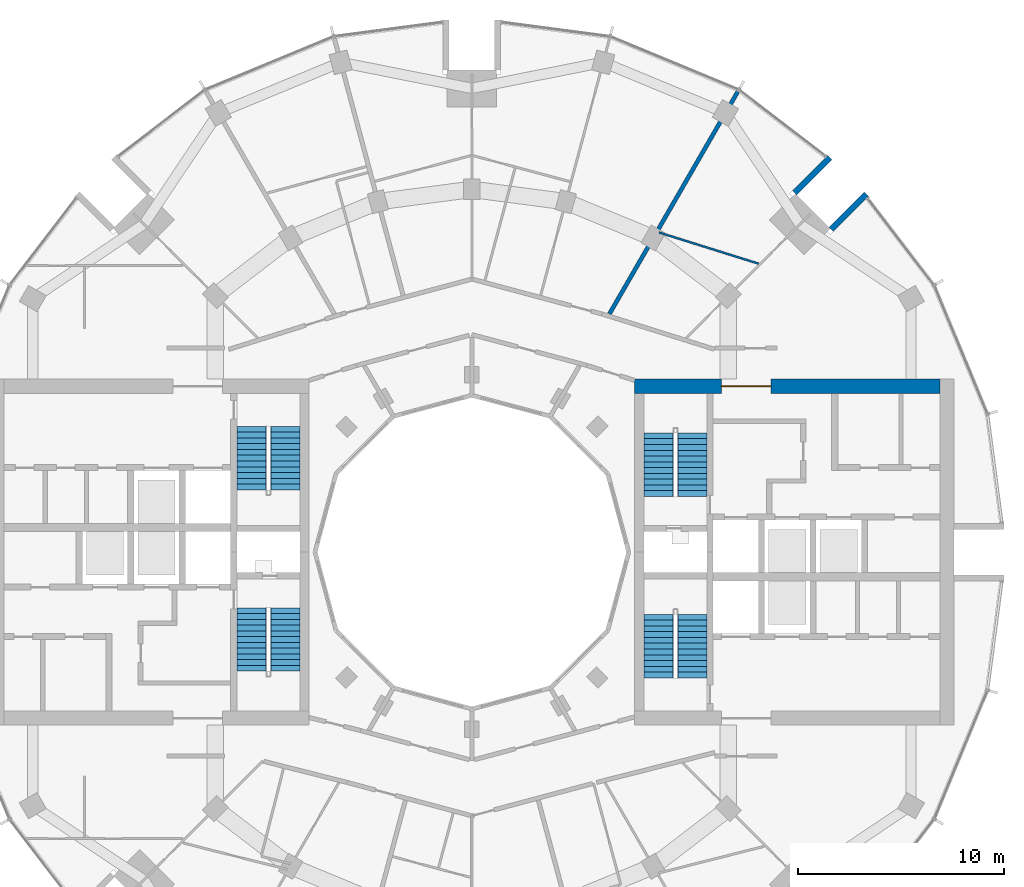
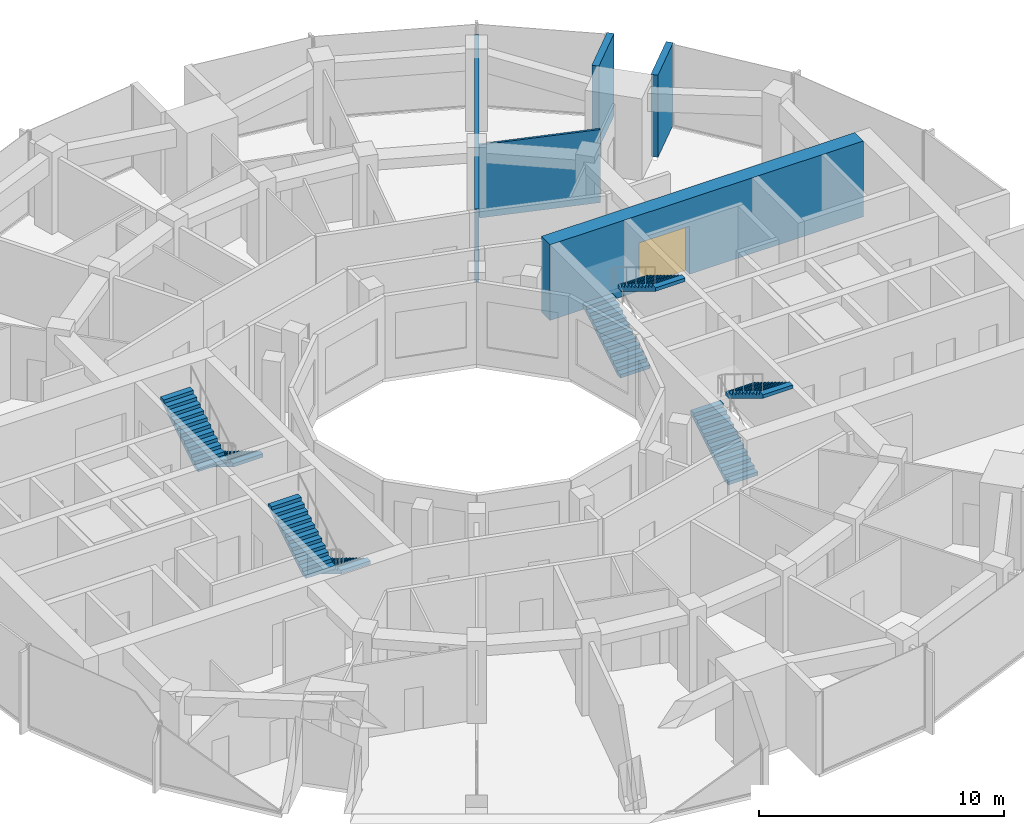
# One storey, part 13 of 15: 8 stair flights, 5 walls, 1 door, 1 opening, 4 elements without a shape of their own.
"""IFC4 building model written with IfcOpenShell, lengths in metres."""

from ifc_helpers import new_model, si_unit, direction, frame, frame_2d, origin, place, context, subcontext, project, spatial, polyline, rectangle, outline, extrude, material, layer, layer_set, type_object, element, fill, aggregate, save


model = new_model("IFC4")

# Units and contexts
model_context = context("Model", 3, precision=1e-05, world=origin(), true_north=direction((0.0, 1.0)))
body_context = subcontext(model_context, "Body", "Model", "MODEL_VIEW")
ifc_project = project(units=[si_unit("LENGTHUNIT", "METRE"), si_unit("AREAUNIT", "SQUARE_METRE"), si_unit("VOLUMEUNIT", "CUBIC_METRE"), si_unit("PLANEANGLEUNIT", "RADIAN"), si_unit("MASSUNIT", "GRAM", prefix="KILO")], contexts=[model_context])

# Site, building, storey
site_placement = place(None, origin())
site = spatial("IfcSite", under=ifc_project, at=site_placement, CompositionType="ELEMENT")
building_placement = place(site_placement, origin())
building = spatial("IfcBuilding", under=site, at=building_placement, Name="Torre Brocal", CompositionType="ELEMENT")
storey_placement = place(building_placement, frame((0.0, 0.0, 182.300048828125)))
storey = spatial("IfcBuildingStorey", under=building, at=storey_placement, Name="L42", CompositionType="ELEMENT", Elevation=182.300048828125)

# Wall, opening, door
ifc_material_1 = material(Name="Concrete C70", Category="concrete")
ifc_layer_1 = layer(ifc_material_1, 0.699951171875)
ifc_layer_set_1 = layer_set([ifc_layer_1], Name="Concrete C70")
wall_type_1 = type_object("IfcWallType", Name="CORE WALL 700 C70", PredefinedType="SHEAR", material=ifc_layer_set_1)
wall_1_placement = place(storey_placement, frame((87.89990234375, 83.050048828125, 0.0), z_axis=(0.0, 0.0, 1.0), x_axis=(1.0, 0.0, 0.0)))
wall_1 = element("IfcWall", 1, at=wall_1_placement, inside=storey, type_object=wall_type_1, Name="Wall CW700-70", PredefinedType="SHEAR", context=body_context, shape_type="SweptSolid", body=[
    extrude(rectangle(XDim=14.800048828125, YDim=0.699951171875, at=frame_2d((7.39990234375, 0.0))), origin(), (0.0, 0.0, 1.0), 3.780029296875),
])
opening_placement = place(wall_1_placement, frame((4.199951171875, 0.0, 0.0)))
opening = element("IfcOpeningElement", 2, at=opening_placement, cuts=wall_1, Name="Opening E-D34", PredefinedType="OPENING", context=body_context, shape_type="SweptSolid", body=[
    extrude(rectangle(XDim=2.39990234375, YDim=2.39990234375, at=frame_2d((1.199951171875, 1.199951171875))), frame((0.0, 0.35986328125, 0.0), z_axis=(0.0, -1.0, 0.0), x_axis=(1.0, 0.0, 0.0)), (0.0, 0.0, 1.0), 0.719970703125),
])
ifc_material_2 = material(Name="Steel A653", Category="steel")
door_type = type_object("IfcDoorType", Name="DOUBLE FIRE DOOR FD90 2400X2400", OperationType="DOUBLE_DOOR_SINGLE_SWING", PredefinedType="DOOR", material=ifc_material_2)
door_placement = place(opening_placement, frame((2.39990234375, 0.0, 0.0), z_axis=(0.0, 0.0, 1.0), x_axis=(-1.0, 0.0, 0.0)))
door = element("IfcDoor", 3, at=door_placement, inside=storey, type_object=door_type, Name="Door E-D34", OperationType="DOUBLE_DOOR_SINGLE_SWING", OverallHeight=2.39990234375, OverallWidth=2.39990234375, PredefinedType="DOOR", context=body_context, shape_type="SweptSolid", body=[
    extrude(rectangle(XDim=2.39990234375, YDim=2.39990234375, at=frame_2d((1.199951171875, 1.199951171875))), frame((0.0, 0.02490234375, 0.0), z_axis=(0.0, -1.0, 0.0), x_axis=(1.0, 0.0, 0.0)), (0.0, 0.0, 1.0), 0.050048828125),
])
fill(opening, door)

# Walls
ifc_material_3 = material(Name="Concrete C70", Category="concrete")
ifc_layer_2 = layer(ifc_material_3, 0.300048828125)
ifc_layer_set_2 = layer_set([ifc_layer_2], Name="Concrete C70")
wall_type_2 = type_object("IfcWallType", Name="NOTCH RETURN WALL 300 C70", PredefinedType="NOTDEFINED", material=ifc_layer_set_2)
for number, where, z_axis, x_axis, name in (
    (4, (97.43017578125, 90.662353515625, 0.0), (0.0, 0.0, 1.0), (0.707106781187, 0.707106781187, 0.0), "NOTCH RETURN WALL"),
    (5, (95.662353515625, 92.43017578125, 0.0), (0.0, 0.0, 1.0), (0.707106781187, 0.707106781187, 0.0), "NOTCH RETURN WALL"),
):
    element("IfcWall", number, at=place(storey_placement, frame(where, z_axis=z_axis, x_axis=x_axis)), inside=storey, type_object=wall_type_2, Name=name, PredefinedType="NOTDEFINED", context=body_context, shape_type="SweptSolid", body=[
        extrude(rectangle(XDim=2.415771484375, YDim=0.300048828125, at=frame_2d((1.2080078125, 0.0))), origin(), (0.0, 0.0, 1.0), 4.099853515625),
    ])
ifc_material_4 = material(Name="Gypsum board", Category="Gypsum")
ifc_layer_3 = layer(ifc_material_4, 0.10009765625)
ifc_layer_set_3 = layer_set([ifc_layer_3], Name="Gypsum board")
wall_type_3 = type_object("IfcWallType", Name="PARTITION 100", PredefinedType="PARTITIONING", material=ifc_layer_set_3)
wall_2_placement = place(storey_placement, frame((89.077880859375, 90.508056640625, 0.0), z_axis=(0.0, 0.0, 1.0), x_axis=(0.954199699612, -0.299170408398, 0.0)))
element("IfcWall", 6, at=wall_2_placement, inside=storey, type_object=wall_type_3, Name="BATHROOM WALL", PredefinedType="PARTITIONING", context=body_context, shape_type="SweptSolid", body=[
    extrude(rectangle(XDim=5.060302734375, YDim=0.10009765625, at=frame_2d((2.5302734375, 0.0))), origin(), (0.0, 0.0, 1.0), 3.64990234375),
])
ifc_material_5 = material(Name="Gypsum board", Category="Gypsum")
ifc_layer_4 = layer(ifc_material_5, 0.199951171875)
ifc_layer_set_4 = layer_set([ifc_layer_4], Name="Gypsum board")
wall_type_4 = type_object("IfcWallType", Name="PARTITION 200 EI60", PredefinedType="PARTITIONING", material=ifc_layer_set_4)
wall_3_placement = place(storey_placement, frame((86.67626953125, 86.562744140625, 0.0), z_axis=(0.0, 0.0, 1.0), x_axis=(0.500130524836, 0.865950032119, 0.0)))
element("IfcWall", 7, at=wall_3_placement, inside=storey, type_object=wall_type_4, Name="BATHROOM WALL", PredefinedType="PARTITIONING", context=body_context, shape_type="SweptSolid", body=[
    extrude(rectangle(XDim=12.446044921875, YDim=0.199951171875, at=frame_2d((6.22314453125, 0.0))), origin(), (0.0, 0.0, 1.0), 3.64990234375),
])

# Stair, stair flights
ifc_material_6 = material(Name="Concrete C50", Category="concrete")
stair_type = type_object("IfcStairType", Name="EXIT STAIR", PredefinedType="HALF_TURN_STAIR", material=ifc_material_6)
stair_1_placement = place(storey_placement, origin())
stair_1 = element("IfcStair", 8, at=stair_1_placement, inside=storey, type_object=stair_type, Name="EXIT STAIR ST1", PredefinedType="HALF_TURN_STAIR")
ifc_material_7 = material(Name="Concrete C50", Category="concrete")
ifc_layer_5 = layer(ifc_material_7, 0.14990234375)
ifc_layer_set_5 = layer_set([ifc_layer_5], Name="Concrete C50")
stair_flight_type = type_object("IfcStairFlightType", Name="STAIR FLIGHT", PredefinedType="STRAIGHT", material=ifc_layer_set_5)
stair_flight_1_placement = place(storey_placement, frame((89.050048828125, 77.699951171875, 0.0), z_axis=(0.0, 0.0, 1.0), x_axis=(0.0, 1.0, 0.0)))
stair_flight_1 = element("IfcStairFlight", 9, at=stair_flight_1_placement, type_object=stair_flight_type, Name="ST1 flight 1", NumberOfRisers=12, NumberOfTreads=11, PredefinedType="STRAIGHT", RiserHeight=0.170833333, TreadLength=0.28, context=body_context, shape_type="SweptSolid", body=[
    extrude(outline(polyline([(0.0, 0.0), (0.0, 0.1708984375), (0.280029296875, 0.1708984375), (0.280029296875, 0.341552734375), (0.56005859375, 0.341552734375), (0.56005859375, 0.512451171875), (0.840087890625, 0.512451171875), (0.840087890625, 0.683349609375), (1.1201171875, 0.683349609375), (1.1201171875, 0.854248046875), (1.39990234375, 0.854248046875), (1.39990234375, 1.02490234375), (1.679931640625, 1.02490234375), (1.679931640625, 1.19580078125), (1.9599609375, 1.19580078125), (1.9599609375, 1.36669921875), (2.239990234375, 1.36669921875), (2.239990234375, 1.53759765625), (2.52001953125, 1.53759765625), (2.52001953125, 1.708251953125), (2.800048828125, 1.708251953125), (2.800048828125, 1.879150390625), (3.080078125, 1.879150390625), (3.080078125, 2.050048828125), (3.080078125, 1.70361328125), (0.287841796875, 0.0), (0.0, 0.0)])), frame((0.0, 0.699951171875, 0.0), z_axis=(0.0, -1.0, 0.0), x_axis=(1.0, 0.0, 0.0)), (0.0, 0.0, 1.0), 1.39990234375),
])
stair_flight_2_placement = place(storey_placement, frame((90.699951171875, 80.780029296875, 2.050048828125), z_axis=(0.0, 0.0, 1.0), x_axis=(0.0, -1.0, 0.0)))
stair_flight_2 = element("IfcStairFlight", 10, at=stair_flight_2_placement, type_object=stair_flight_type, Name="ST1 flight 2", NumberOfRisers=12, NumberOfTreads=11, PredefinedType="STRAIGHT", RiserHeight=0.170833333, TreadLength=0.28, context=body_context, shape_type="SweptSolid", body=[
    extrude(outline(polyline([(0.0, 0.0), (0.0, 0.1708984375), (0.280029296875, 0.1708984375), (0.280029296875, 0.341552734375), (0.56005859375, 0.341552734375), (0.56005859375, 0.512451171875), (0.840087890625, 0.512451171875), (0.840087890625, 0.683349609375), (1.1201171875, 0.683349609375), (1.1201171875, 0.854248046875), (1.39990234375, 0.854248046875), (1.39990234375, 1.02490234375), (1.679931640625, 1.02490234375), (1.679931640625, 1.19580078125), (1.9599609375, 1.19580078125), (1.9599609375, 1.36669921875), (2.239990234375, 1.36669921875), (2.239990234375, 1.53759765625), (2.52001953125, 1.53759765625), (2.52001953125, 1.708251953125), (2.800048828125, 1.708251953125), (2.800048828125, 1.879150390625), (3.080078125, 1.879150390625), (3.080078125, 2.050048828125), (3.080078125, 1.70361328125), (0.287841796875, 0.0), (0.0, 0.0)])), frame((0.0, 0.699951171875, 0.0), z_axis=(0.0, -1.0, 0.0), x_axis=(1.0, 0.0, 0.0)), (0.0, 0.0, 1.0), 1.39990234375),
])
aggregate(stair_1, [stair_flight_1, stair_flight_2])

stair_2_placement = place(storey_placement, origin())
stair_2 = element("IfcStair", 11, at=stair_2_placement, inside=storey, type_object=stair_type, Name="EXIT STAIR ST2", PredefinedType="HALF_TURN_STAIR")
stair_flight_3_placement = place(storey_placement, frame((89.050048828125, 68.89990234375, 0.0), z_axis=(0.0, 0.0, 1.0), x_axis=(0.0, 1.0, 0.0)))
stair_flight_3 = element("IfcStairFlight", 12, at=stair_flight_3_placement, type_object=stair_flight_type, Name="ST2 flight 1", NumberOfRisers=12, NumberOfTreads=11, PredefinedType="STRAIGHT", RiserHeight=0.170833333, TreadLength=0.28, context=body_context, shape_type="SweptSolid", body=[
    extrude(outline(polyline([(0.0, 0.0), (0.0, 0.1708984375), (0.280029296875, 0.1708984375), (0.280029296875, 0.341552734375), (0.56005859375, 0.341552734375), (0.56005859375, 0.512451171875), (0.840087890625, 0.512451171875), (0.840087890625, 0.683349609375), (1.1201171875, 0.683349609375), (1.1201171875, 0.854248046875), (1.39990234375, 0.854248046875), (1.39990234375, 1.02490234375), (1.679931640625, 1.02490234375), (1.679931640625, 1.19580078125), (1.9599609375, 1.19580078125), (1.9599609375, 1.36669921875), (2.239990234375, 1.36669921875), (2.239990234375, 1.53759765625), (2.52001953125, 1.53759765625), (2.52001953125, 1.708251953125), (2.800048828125, 1.708251953125), (2.800048828125, 1.879150390625), (3.080078125, 1.879150390625), (3.080078125, 2.050048828125), (3.080078125, 1.70361328125), (0.287841796875, 0.0), (0.0, 0.0)])), frame((0.0, 0.699951171875, 0.0), z_axis=(0.0, -1.0, 0.0), x_axis=(1.0, 0.0, 0.0)), (0.0, 0.0, 1.0), 1.39990234375),
])
stair_flight_4_placement = place(storey_placement, frame((90.699951171875, 71.97998046875, 2.050048828125), z_axis=(0.0, 0.0, 1.0), x_axis=(0.0, -1.0, 0.0)))
stair_flight_4 = element("IfcStairFlight", 13, at=stair_flight_4_placement, type_object=stair_flight_type, Name="ST2 flight 2", NumberOfRisers=12, NumberOfTreads=11, PredefinedType="STRAIGHT", RiserHeight=0.170833333, TreadLength=0.28, context=body_context, shape_type="SweptSolid", body=[
    extrude(outline(polyline([(0.0, 0.0), (0.0, 0.1708984375), (0.280029296875, 0.1708984375), (0.280029296875, 0.341552734375), (0.56005859375, 0.341552734375), (0.56005859375, 0.512451171875), (0.840087890625, 0.512451171875), (0.840087890625, 0.683349609375), (1.1201171875, 0.683349609375), (1.1201171875, 0.854248046875), (1.39990234375, 0.854248046875), (1.39990234375, 1.02490234375), (1.679931640625, 1.02490234375), (1.679931640625, 1.19580078125), (1.9599609375, 1.19580078125), (1.9599609375, 1.36669921875), (2.239990234375, 1.36669921875), (2.239990234375, 1.53759765625), (2.52001953125, 1.53759765625), (2.52001953125, 1.708251953125), (2.800048828125, 1.708251953125), (2.800048828125, 1.879150390625), (3.080078125, 1.879150390625), (3.080078125, 2.050048828125), (3.080078125, 1.70361328125), (0.287841796875, 0.0), (0.0, 0.0)])), frame((0.0, 0.699951171875, 0.0), z_axis=(0.0, -1.0, 0.0), x_axis=(1.0, 0.0, 0.0)), (0.0, 0.0, 1.0), 1.39990234375),
])
aggregate(stair_2, [stair_flight_3, stair_flight_4])

stair_3_placement = place(storey_placement, origin())
stair_3 = element("IfcStair", 14, at=stair_3_placement, inside=storey, type_object=stair_type, Name="EXIT STAIR ST3", PredefinedType="HALF_TURN_STAIR")
stair_flight_5_placement = place(storey_placement, frame((70.949951171875, 72.300048828125, 0.0), z_axis=(0.0, 0.0, 1.0), x_axis=(0.0, -1.0, 0.0)))
stair_flight_5 = element("IfcStairFlight", 15, at=stair_flight_5_placement, type_object=stair_flight_type, Name="ST3 flight 1", NumberOfRisers=12, NumberOfTreads=11, PredefinedType="STRAIGHT", RiserHeight=0.170833333, TreadLength=0.28, context=body_context, shape_type="SweptSolid", body=[
    extrude(outline(polyline([(0.0, 0.0), (0.0, 0.1708984375), (0.280029296875, 0.1708984375), (0.280029296875, 0.341552734375), (0.56005859375, 0.341552734375), (0.56005859375, 0.512451171875), (0.840087890625, 0.512451171875), (0.840087890625, 0.683349609375), (1.1201171875, 0.683349609375), (1.1201171875, 0.854248046875), (1.39990234375, 0.854248046875), (1.39990234375, 1.02490234375), (1.679931640625, 1.02490234375), (1.679931640625, 1.19580078125), (1.9599609375, 1.19580078125), (1.9599609375, 1.36669921875), (2.239990234375, 1.36669921875), (2.239990234375, 1.53759765625), (2.52001953125, 1.53759765625), (2.52001953125, 1.708251953125), (2.800048828125, 1.708251953125), (2.800048828125, 1.879150390625), (3.080078125, 1.879150390625), (3.080078125, 2.050048828125), (3.080078125, 1.70361328125), (0.287841796875, 0.0), (0.0, 0.0)])), frame((0.0, 0.699951171875, 0.0), z_axis=(0.0, -1.0, 0.0), x_axis=(1.0, 0.0, 0.0)), (0.0, 0.0, 1.0), 1.39990234375),
])
stair_flight_6_placement = place(storey_placement, frame((69.300048828125, 69.219970703125, 2.050048828125), z_axis=(0.0, 0.0, 1.0), x_axis=(0.0, 1.0, 0.0)))
stair_flight_6 = element("IfcStairFlight", 16, at=stair_flight_6_placement, type_object=stair_flight_type, Name="ST3 flight 2", NumberOfRisers=12, NumberOfTreads=11, PredefinedType="STRAIGHT", RiserHeight=0.170833333, TreadLength=0.28, context=body_context, shape_type="SweptSolid", body=[
    extrude(outline(polyline([(0.0, 0.0), (0.0, 0.1708984375), (0.280029296875, 0.1708984375), (0.280029296875, 0.341552734375), (0.56005859375, 0.341552734375), (0.56005859375, 0.512451171875), (0.840087890625, 0.512451171875), (0.840087890625, 0.683349609375), (1.1201171875, 0.683349609375), (1.1201171875, 0.854248046875), (1.39990234375, 0.854248046875), (1.39990234375, 1.02490234375), (1.679931640625, 1.02490234375), (1.679931640625, 1.19580078125), (1.9599609375, 1.19580078125), (1.9599609375, 1.36669921875), (2.239990234375, 1.36669921875), (2.239990234375, 1.53759765625), (2.52001953125, 1.53759765625), (2.52001953125, 1.708251953125), (2.800048828125, 1.708251953125), (2.800048828125, 1.879150390625), (3.080078125, 1.879150390625), (3.080078125, 2.050048828125), (3.080078125, 1.70361328125), (0.287841796875, 0.0), (0.0, 0.0)])), frame((0.0, 0.699951171875, 0.0), z_axis=(0.0, -1.0, 0.0), x_axis=(1.0, 0.0, 0.0)), (0.0, 0.0, 1.0), 1.39990234375),
])
aggregate(stair_3, [stair_flight_5, stair_flight_6])

stair_4_placement = place(storey_placement, origin())
stair_4 = element("IfcStair", 17, at=stair_4_placement, inside=storey, type_object=stair_type, Name="EXIT STAIR ST4", PredefinedType="HALF_TURN_STAIR")
stair_flight_7_placement = place(storey_placement, frame((70.949951171875, 81.10009765625, 0.0), z_axis=(0.0, 0.0, 1.0), x_axis=(0.0, -1.0, 0.0)))
stair_flight_7 = element("IfcStairFlight", 18, at=stair_flight_7_placement, type_object=stair_flight_type, Name="ST4 flight 1", NumberOfRisers=12, NumberOfTreads=11, PredefinedType="STRAIGHT", RiserHeight=0.170833333, TreadLength=0.28, context=body_context, shape_type="SweptSolid", body=[
    extrude(outline(polyline([(0.0, 0.0), (0.0, 0.1708984375), (0.280029296875, 0.1708984375), (0.280029296875, 0.341552734375), (0.56005859375, 0.341552734375), (0.56005859375, 0.512451171875), (0.840087890625, 0.512451171875), (0.840087890625, 0.683349609375), (1.1201171875, 0.683349609375), (1.1201171875, 0.854248046875), (1.39990234375, 0.854248046875), (1.39990234375, 1.02490234375), (1.679931640625, 1.02490234375), (1.679931640625, 1.19580078125), (1.9599609375, 1.19580078125), (1.9599609375, 1.36669921875), (2.239990234375, 1.36669921875), (2.239990234375, 1.53759765625), (2.52001953125, 1.53759765625), (2.52001953125, 1.708251953125), (2.800048828125, 1.708251953125), (2.800048828125, 1.879150390625), (3.080078125, 1.879150390625), (3.080078125, 2.050048828125), (3.080078125, 1.70361328125), (0.287841796875, 0.0), (0.0, 0.0)])), frame((0.0, 0.699951171875, 0.0), z_axis=(0.0, -1.0, 0.0), x_axis=(1.0, 0.0, 0.0)), (0.0, 0.0, 1.0), 1.39990234375),
])
stair_flight_8_placement = place(storey_placement, frame((69.300048828125, 78.02001953125, 2.050048828125), z_axis=(0.0, 0.0, 1.0), x_axis=(0.0, 1.0, 0.0)))
stair_flight_8 = element("IfcStairFlight", 19, at=stair_flight_8_placement, type_object=stair_flight_type, Name="ST4 flight 2", NumberOfRisers=12, NumberOfTreads=11, PredefinedType="STRAIGHT", RiserHeight=0.170833333, TreadLength=0.28, context=body_context, shape_type="SweptSolid", body=[
    extrude(outline(polyline([(0.0, 0.0), (0.0, 0.1708984375), (0.280029296875, 0.1708984375), (0.280029296875, 0.341552734375), (0.56005859375, 0.341552734375), (0.56005859375, 0.512451171875), (0.840087890625, 0.512451171875), (0.840087890625, 0.683349609375), (1.1201171875, 0.683349609375), (1.1201171875, 0.854248046875), (1.39990234375, 0.854248046875), (1.39990234375, 1.02490234375), (1.679931640625, 1.02490234375), (1.679931640625, 1.19580078125), (1.9599609375, 1.19580078125), (1.9599609375, 1.36669921875), (2.239990234375, 1.36669921875), (2.239990234375, 1.53759765625), (2.52001953125, 1.53759765625), (2.52001953125, 1.708251953125), (2.800048828125, 1.708251953125), (2.800048828125, 1.879150390625), (3.080078125, 1.879150390625), (3.080078125, 2.050048828125), (3.080078125, 1.70361328125), (0.287841796875, 0.0), (0.0, 0.0)])), frame((0.0, 0.699951171875, 0.0), z_axis=(0.0, -1.0, 0.0), x_axis=(1.0, 0.0, 0.0)), (0.0, 0.0, 1.0), 1.39990234375),
])
aggregate(stair_4, [stair_flight_7, stair_flight_8])

save(model, "model.ifc")
